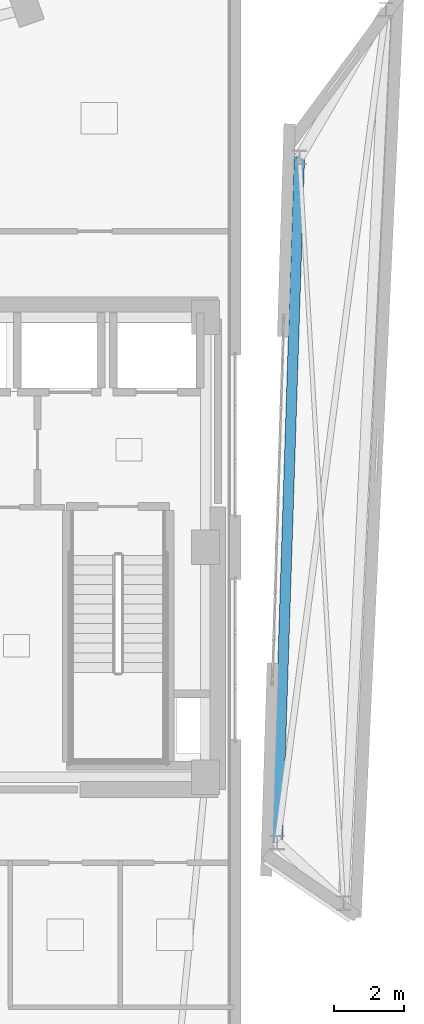
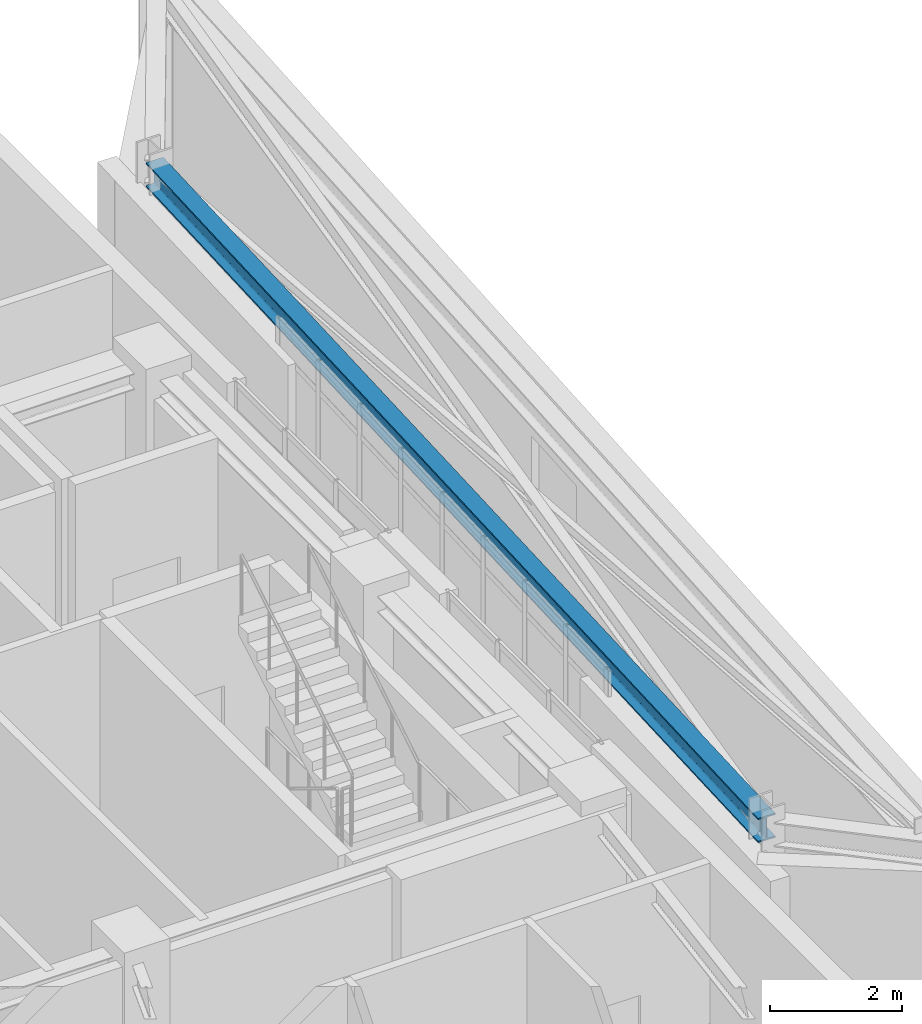
# One storey, part 8 of 19: 1 beam.
"""IFC4 building model written with IfcOpenShell, lengths in metres."""

from ifc_helpers import new_model, si_unit, direction, frame, origin, origin_2d, place, context, subcontext, project, spatial, i_section, extrude, material, material_profile, profile_set, type_object, element, save


model = new_model("IFC4")

# Units and contexts
model_context = context("Model", 3, precision=1e-05, world=origin(), true_north=direction((0.0, 1.0)))
body_context = subcontext(model_context, "Body", "Model", "MODEL_VIEW")
ifc_project = project(units=[si_unit("LENGTHUNIT", "METRE"), si_unit("AREAUNIT", "SQUARE_METRE"), si_unit("VOLUMEUNIT", "CUBIC_METRE"), si_unit("PLANEANGLEUNIT", "RADIAN"), si_unit("MASSUNIT", "GRAM", prefix="KILO")], contexts=[model_context])

# Site, building, storey
site_placement = place(None, origin())
site = spatial("IfcSite", under=ifc_project, at=site_placement, CompositionType="ELEMENT")
building_placement = place(site_placement, origin())
building = spatial("IfcBuilding", under=site, at=building_placement, Name="Ndelora Gate Hotel", CompositionType="ELEMENT")
storey_placement = place(building_placement, frame((0.0, 0.0, 299.199951171875)))
storey = spatial("IfcBuildingStorey", under=building, at=storey_placement, Name="L74", CompositionType="ELEMENT", Elevation=299.199951171875)

# Beam
ifc_material = material(Name="Steel S355", Category="steel")
ifc_material_profile = material_profile(ifc_material, i_section(OverallWidth=0.300048828125, OverallDepth=0.449951171875, WebThickness=0.013916015625, FlangeThickness=0.02587890625, FilletRadius=0.027099609375, at=origin_2d()), Name="HEB 450")
ifc_profile_set = profile_set([ifc_material_profile], Name="Steel S355")
beam_type = type_object("IfcBeamType", Name="BM-RING-450", PredefinedType="SPANDREL", material=ifc_profile_set)
beam_placement = place(storey_placement, frame((10.692138671875, 11.19091796875, 3.89501953125), z_axis=(-0.032242893106, -0.999480062755, 0.0), x_axis=(0.999480062755, -0.032242893106, 0.0)))
element("IfcBeam", 1, at=beam_placement, inside=storey, type_object=beam_type, Name="L74 structural beam RB-5", PredefinedType="SPANDREL", context=body_context, shape_type="SweptSolid", body=[
    extrude(i_section(OverallWidth=0.300048828125, OverallDepth=0.449951171875, WebThickness=0.013916015625, FlangeThickness=0.02587890625, FilletRadius=0.027099609375, at=origin_2d()), origin(), (0.0, 0.0, 1.0), 19.679443359375),
])

save(model, "model.ifc")
